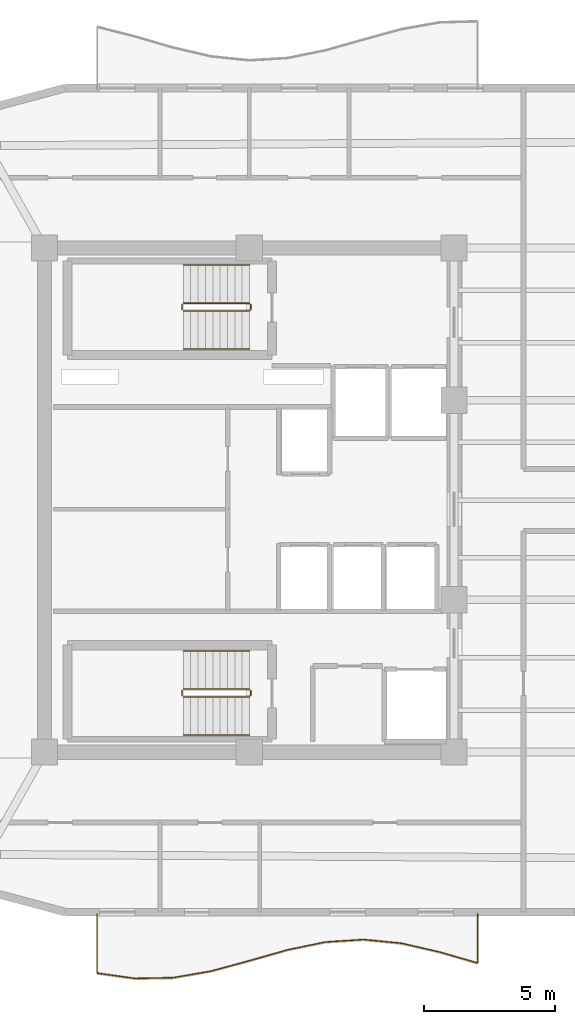
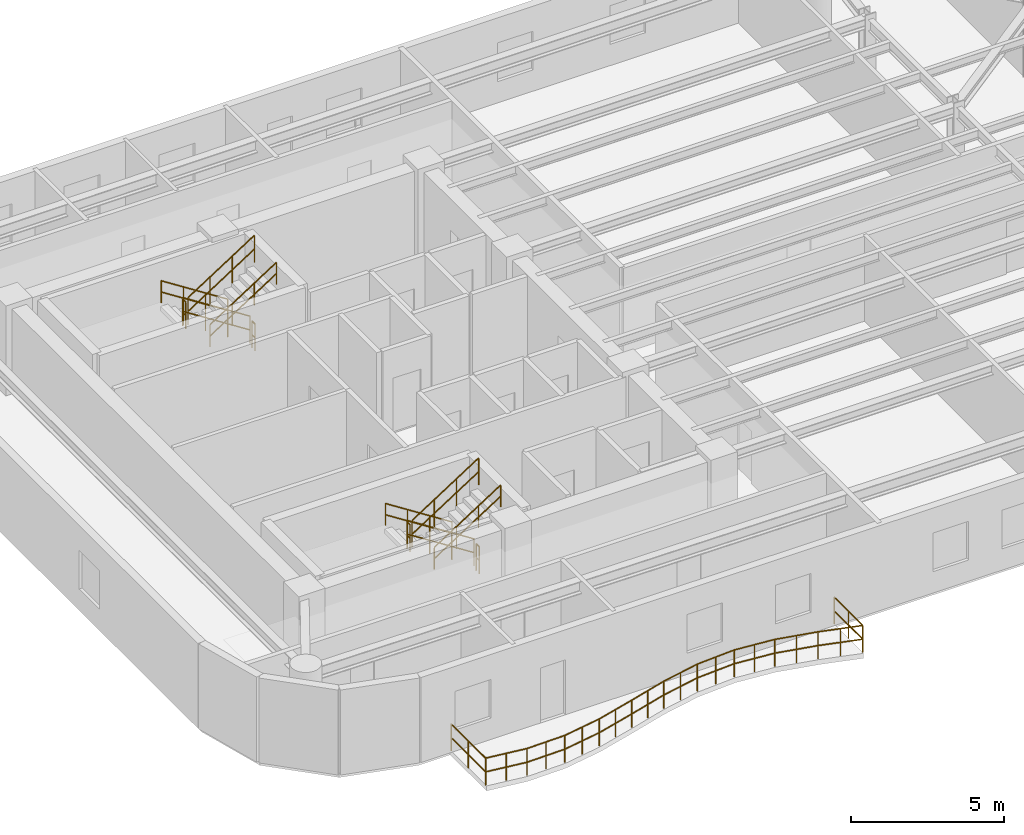
# One storey, part 12 of 13: 13 railings.
"""IFC4 building model written with IfcOpenShell, lengths in metres."""

import ifcopenshell
import ifcopenshell.guid

model = None  # the IFC model being written
_history = None  # IfcOwnerHistory: only IFC2X3 demands one
_inside = {}  # id of a spatial element -> (the spatial element, [elements in it])
_under = {}  # id of a project, library or spatial element -> (it, [spatial elements below it])
_declared = {}  # id of a project -> (the project, [libraries it declares])
_typed = {}  # id of a type object -> (the type object, [elements of that type])
_made_of = {}  # id of a material, layer set ... -> (it, [elements and type objects made of it])


def new_model(schema):
    """Start an empty IFC model of exactly this schema.

    Asked for "IFC4X3", IfcOpenShell would pick the latest addendum, in which some entities
    have other attributes; the version numbers below select the first issue.
    IFC2X3 requires an IfcOwnerHistory on every rooted entity: one is made here for all.
    """
    global model, _history
    if schema == "IFC4X3":
        model = ifcopenshell.file(schema_version=(4, 3, 0, 0))
    else:
        model = ifcopenshell.file(schema=schema)
    _inside.clear()
    _under.clear()
    _declared.clear()
    _typed.clear()
    _made_of.clear()
    _history = None
    if model.schema == "IFC2X3":
        org = make("IfcOrganization", Name="unknown")
        user = make(
            "IfcPersonAndOrganization",
            ThePerson=make("IfcPerson", FamilyName="unknown"),
            TheOrganization=org,
        )
        app = make(
            "IfcApplication",
            ApplicationDeveloper=org,
            Version="unknown",
            ApplicationFullName="unknown",
            ApplicationIdentifier="unknown",
        )
        _history = make(
            "IfcOwnerHistory",
            OwningUser=user,
            OwningApplication=app,
            ChangeAction="ADDED",
            CreationDate=0,
        )
    return model


def make(cls, **values):
    """One entity of the class cls with the attributes given. An attribute that is None is left unset."""
    return model.create_entity(
        cls, **{name: value for name, value in values.items() if value is not None}
    )


def rooted(cls, **values):
    """An entity with a GlobalId (a new one), such as an element, a storey or a relation."""
    return make(cls, GlobalId=ifcopenshell.guid.new(), OwnerHistory=_history, **values)


def si_unit(unit_type, name, prefix=None):
    """IfcSIUnit, for example si_unit("LENGTHUNIT", "METRE", prefix="MILLI")."""
    return make("IfcSIUnit", UnitType=unit_type, Prefix=prefix, Name=name)


def assignment(units):
    """IfcUnitAssignment: the units of a project."""
    return None if units is None else make("IfcUnitAssignment", Units=units)


def point(xyz):
    """IfcCartesianPoint."""
    return None if xyz is None else make("IfcCartesianPoint", Coordinates=xyz)


def direction(xyz):
    """IfcDirection."""
    return None if xyz is None else make("IfcDirection", DirectionRatios=xyz)


def frame(location, z_axis=None, x_axis=None):
    """IfcAxis2Placement3D, a coordinate frame: its origin and axes. An axis left out is left unset."""
    return make(
        "IfcAxis2Placement3D",
        Location=point(location),
        Axis=direction(z_axis),
        RefDirection=direction(x_axis),
    )


def frame_2d(location, x_axis=None):
    """IfcAxis2Placement2D, a coordinate frame in the plane: its origin and x axis."""
    return make(
        "IfcAxis2Placement2D", Location=point(location), RefDirection=direction(x_axis)
    )


def origin():
    """The frame at (0, 0, 0) with its axes left unset."""
    return frame((0.0, 0.0, 0.0))


def origin_2d():
    """The frame at (0, 0) in the plane with its x axis left unset."""
    return frame_2d((0.0, 0.0))


def place(relative_to, where):
    """IfcLocalPlacement: puts the frame where relative to a parent placement (None: the world)."""
    return make(
        "IfcLocalPlacement", PlacementRelTo=relative_to, RelativePlacement=where
    )


def context(
    kind, dimensions, precision=None, world=None, true_north=None, identifier=None
):
    """IfcGeometricRepresentationContext, for example the 3D "Model" context."""
    return make(
        "IfcGeometricRepresentationContext",
        ContextIdentifier=identifier,
        ContextType=kind,
        CoordinateSpaceDimension=dimensions,
        Precision=precision,
        WorldCoordinateSystem=world,
        TrueNorth=true_north,
    )


def subcontext(parent, identifier, kind, view, scale=None):
    """IfcGeometricRepresentationSubContext, for example "Body" below "Model"."""
    return make(
        "IfcGeometricRepresentationSubContext",
        ContextIdentifier=identifier,
        ContextType=kind,
        ParentContext=parent,
        TargetScale=scale,
        TargetView=view,
    )


def project(units=None, contexts=None):
    """IfcProject with its units and contexts."""
    return rooted(
        "IfcProject",
        Name="project",
        RepresentationContexts=contexts,
        UnitsInContext=assignment(units),
    )


def spatial(cls, under=None, at=None, **own):
    """A site, building, storey or space (cls), placed at a placement, below another one or the project."""
    s = rooted(cls, ObjectPlacement=at, **own)
    if under is not None:
        _under.setdefault(under.id(), (under, []))[1].append(s)
    return s


def profile(cls, at=None, kind="AREA", **sizes):
    """A parametric profile (cls). Its sizes go by their IFC names, for example OverallWidth=200.0."""
    return make(cls, ProfileType=kind, Position=at, **sizes)


def circle(**sizes):
    """IfcCircleProfileDef."""
    return profile("IfcCircleProfileDef", **sizes)


def extrude(swept, where, along, depth):
    """IfcExtrudedAreaSolid: the profile swept, set in the frame where, extruded along a direction by depth."""
    return make(
        "IfcExtrudedAreaSolid",
        SweptArea=swept,
        Position=where,
        ExtrudedDirection=direction(along),
        Depth=depth,
    )


def shape(context_of_items, identifier, shape_type, items):
    """IfcShapeRepresentation: the items that make up one representation, for example the "Body"."""
    return make(
        "IfcShapeRepresentation",
        ContextOfItems=context_of_items,
        RepresentationIdentifier=identifier,
        RepresentationType=shape_type,
        Items=items,
    )


def material(Name=None, Category=None):
    """IfcMaterial."""
    return make("IfcMaterial", Name=Name, Category=Category)


def made_of(thing, what):
    """Note that an element or type object is made of a material, layer set ...; save() writes the relation."""
    if what is not None:
        _made_of.setdefault(what.id(), (what, []))[1].append(thing)
    return thing


def type_object(cls, material=None, **own):
    """A type object (cls), such as IfcWallType, which elements share."""
    return made_of(rooted(cls, **own), material)


def element(
    cls,
    number,
    at=None,
    inside=None,
    cuts=None,
    type_object=None,
    material=None,
    context=None,
    identifier="Body",
    shape_type=None,
    held_by="IfcProductDefinitionShape",
    body=None,
    shapes=None,
    **own,
):
    """One element of the class cls, such as IfcWall. Its Tag is "e" and its number.

    at: its placement. inside: the storey or other place that contains it. cuts: it is an
    opening in that element (IfcRelVoidsElement). A single representation is given by context,
    identifier, shape_type and body (its items); several are given by shapes. held_by: the class
    of the entity that holds the representations. save() writes the other relations.
    """
    e = rooted(cls, Tag="e%d" % number, ObjectPlacement=at, **own)
    if body is not None:
        shapes = [shape(context, identifier, shape_type, body)]
    if shapes is not None:
        e.Representation = make(held_by, Representations=shapes)
    if inside is not None:
        _inside.setdefault(inside.id(), (inside, []))[1].append(e)
    if cuts is not None:
        rooted(
            "IfcRelVoidsElement", RelatingBuildingElement=cuts, RelatedOpeningElement=e
        )
    if type_object is not None:
        _typed.setdefault(type_object.id(), (type_object, []))[1].append(e)
    return made_of(e, material)


def aggregate(whole, parts):
    """IfcRelAggregates: a whole, such as a stair, and the parts it consists of."""
    return rooted("IfcRelAggregates", RelatingObject=whole, RelatedObjects=parts)


def save(model, path):
    """Write the relations noted so far, then the file.

    IfcRelAggregates (storeys below a building ...), IfcRelContainedInSpatialStructure (elements
    in a storey), IfcRelDefinesByType, IfcRelAssociatesMaterial and IfcRelDeclares: one each for
    every whole, place, type object, material and project.
    """
    for whole, parts in _under.values():
        aggregate(whole, parts)
    for where, things in _inside.values():
        rooted(
            "IfcRelContainedInSpatialStructure",
            RelatedElements=things,
            RelatingStructure=where,
        )
    for kind, things in _typed.values():
        rooted("IfcRelDefinesByType", RelatedObjects=things, RelatingType=kind)
    for what, things in _made_of.values():
        rooted("IfcRelAssociatesMaterial", RelatedObjects=things, RelatingMaterial=what)
    for by, libraries in _declared.values():
        rooted("IfcRelDeclares", RelatingContext=by, RelatedDefinitions=libraries)
    model.write(path)


model = new_model("IFC4")

# Units and contexts
model_context = context("Model", 3, precision=1e-05, world=origin(), true_north=direction((0.0, 1.0)))
body_context = subcontext(model_context, "Body", "Model", "MODEL_VIEW")
ifc_project = project(units=[si_unit("LENGTHUNIT", "METRE"), si_unit("AREAUNIT", "SQUARE_METRE"), si_unit("VOLUMEUNIT", "CUBIC_METRE"), si_unit("PLANEANGLEUNIT", "RADIAN"), si_unit("MASSUNIT", "GRAM", prefix="KILO")], contexts=[model_context])

# Site, building, storey
site_placement = place(None, origin())
site = spatial("IfcSite", under=ifc_project, at=site_placement, CompositionType="ELEMENT")
building_placement = place(site_placement, origin())
building = spatial("IfcBuilding", under=site, at=building_placement, Name="An Khanh Terracotta Commons", CompositionType="ELEMENT")
storey_placement = place(building_placement, frame((0.0, 0.0, 212.10009765625)))
storey = spatial("IfcBuildingStorey", under=building, at=storey_placement, Name="L55", CompositionType="ELEMENT", Elevation=212.10009765625)

# Railings
ifc_material_1 = material(Name="Brushed Stainless Steel 316", Category="steel")
railing_type_1 = type_object("IfcRailingType", Name="RAIL-BALUSTRADE-1100", PredefinedType="BALUSTRADE", material=ifc_material_1)
railing_1_placement = place(storey_placement, frame((23.60009765625, 8.239990234375, 0.0)))
element("IfcRailing", 1, at=railing_1_placement, inside=storey, type_object=railing_type_1, Name="L55 S Wave Balcony Guard Balustrade", PredefinedType="BALUSTRADE", context=body_context, shape_type="SweptSolid", body=[
    extrude(circle(Radius=0.02392578125, at=origin_2d()), frame((0.0, 0.0, 1.076171875), z_axis=(0.0, -1.0, 0.0), x_axis=(1.0, 0.0, 0.0)), (0.0, 0.0, 1.0), 2.260009765625),
    extrude(circle(Radius=0.02392578125, at=origin_2d()), frame((0.0, 0.0, 0.52587890625), z_axis=(0.0, -1.0, 0.0), x_axis=(1.0, 0.0, 0.0)), (0.0, 0.0, 1.0), 2.260009765625),
    extrude(circle(Radius=0.02392578125, at=origin_2d()), frame((0.0, -2.260009765625, 1.076171875), z_axis=(0.99035227634, -0.138572611827, 0.0), x_axis=(0.138572611827, 0.99035227634, 0.0)), (0.0, 0.0, 1.0), 1.464111328125),
    extrude(circle(Radius=0.02392578125, at=origin_2d()), frame((0.0, -2.260009765625, 0.52587890625), z_axis=(0.99035227634, -0.138572611827, 0.0), x_axis=(0.138572611827, 0.99035227634, 0.0)), (0.0, 0.0, 1.0), 1.464111328125),
    extrude(circle(Radius=0.02392578125, at=origin_2d()), frame((1.449951171875, -2.462890625, 1.076171875), z_axis=(0.999802676501, 0.019864744204, 0.0), x_axis=(-0.019864744204, 0.999802676501, 0.0)), (0.0, 0.0, 1.0), 1.4501953125),
    extrude(circle(Radius=0.02392578125, at=origin_2d()), frame((1.449951171875, -2.462890625, 0.52587890625), z_axis=(0.999802676501, 0.019864744204, 0.0), x_axis=(-0.019864744204, 0.999802676501, 0.0)), (0.0, 0.0, 1.0), 1.4501953125),
    extrude(circle(Radius=0.02392578125, at=origin_2d()), frame((2.89990234375, -2.43408203125, 1.076171875), z_axis=(0.985347824939, 0.170556922721, 0.0), x_axis=(-0.170556922721, 0.985347824939, 0.0)), (0.0, 0.0, 1.0), 1.471435546875),
    extrude(circle(Radius=0.02392578125, at=origin_2d()), frame((2.89990234375, -2.43408203125, 0.52587890625), z_axis=(0.985347824939, 0.170556922721, 0.0), x_axis=(-0.170556922721, 0.985347824939, 0.0)), (0.0, 0.0, 1.0), 1.471435546875),
    extrude(circle(Radius=0.02392578125, at=origin_2d()), frame((4.349853515625, -2.18310546875, 1.076171875), z_axis=(0.964999660908, 0.262251128592, 0.0), x_axis=(-0.262251128592, 0.964999660908, 0.0)), (0.0, 0.0, 1.0), 1.50244140625),
    extrude(circle(Radius=0.02392578125, at=origin_2d()), frame((4.349853515625, -2.18310546875, 0.52587890625), z_axis=(0.964999660908, 0.262251128592, 0.0), x_axis=(-0.262251128592, 0.964999660908, 0.0)), (0.0, 0.0, 1.0), 1.50244140625),
    extrude(circle(Radius=0.02392578125, at=origin_2d()), frame((5.7998046875, -1.7890625, 1.076171875), z_axis=(0.961743592255, 0.273951205066, 0.0), x_axis=(-0.273951205066, 0.961743592255, 0.0)), (0.0, 0.0, 1.0), 1.5078125),
    extrude(circle(Radius=0.02392578125, at=origin_2d()), frame((5.7998046875, -1.7890625, 0.52587890625), z_axis=(0.961743592255, 0.273951205066, 0.0), x_axis=(-0.273951205066, 0.961743592255, 0.0)), (0.0, 0.0, 1.0), 1.5078125),
    extrude(circle(Radius=0.02392578125, at=origin_2d()), frame((7.25, -1.3759765625, 1.076171875), z_axis=(0.979252522328, 0.202643769985, 0.0), x_axis=(-0.202643769985, 0.979252522328, 0.0)), (0.0, 0.0, 1.0), 1.480712890625),
    extrude(circle(Radius=0.02392578125, at=origin_2d()), frame((7.25, -1.3759765625, 0.52587890625), z_axis=(0.979252522328, 0.202643769985, 0.0), x_axis=(-0.202643769985, 0.979252522328, 0.0)), (0.0, 0.0, 1.0), 1.480712890625),
    extrude(circle(Radius=0.02392578125, at=origin_2d()), frame((8.699951171875, -1.075927734375, 1.076171875), z_axis=(0.997861802068, 0.065359191952, 0.0), x_axis=(-0.065359191952, 0.997861802068, 0.0)), (0.0, 0.0, 1.0), 1.453125),
    extrude(circle(Radius=0.02392578125, at=origin_2d()), frame((8.699951171875, -1.075927734375, 0.52587890625), z_axis=(0.997861802068, 0.065359191952, 0.0), x_axis=(-0.065359191952, 0.997861802068, 0.0)), (0.0, 0.0, 1.0), 1.453125),
    extrude(circle(Radius=0.02392578125, at=origin_2d()), frame((10.14990234375, -0.98095703125, 1.076171875), z_axis=(0.995232672136, -0.097529115202, 0.0), x_axis=(0.097529115202, 0.995232672136, 0.0)), (0.0, 0.0, 1.0), 1.456787109375),
    extrude(circle(Radius=0.02392578125, at=origin_2d()), frame((10.14990234375, -0.98095703125, 0.52587890625), z_axis=(0.995232672136, -0.097529115202, 0.0), x_axis=(0.097529115202, 0.995232672136, 0.0)), (0.0, 0.0, 1.0), 1.456787109375),
    extrude(circle(Radius=0.02392578125, at=origin_2d()), frame((11.599853515625, -1.123046875, 1.076171875), z_axis=(0.974482374478, -0.224464032377, 0.0), x_axis=(0.224464032377, 0.974482374478, 0.0)), (0.0, 0.0, 1.0), 1.488037109375),
    extrude(circle(Radius=0.02392578125, at=origin_2d()), frame((11.599853515625, -1.123046875, 0.52587890625), z_axis=(0.974482374478, -0.224464032377, 0.0), x_axis=(0.224464032377, 0.974482374478, 0.0)), (0.0, 0.0, 1.0), 1.488037109375),
    extrude(circle(Radius=0.02392578125, at=origin_2d()), frame((13.0498046875, -1.45703125, 1.076171875), z_axis=(0.960714182841, -0.277539652821, 0.0), x_axis=(0.277539652821, 0.960714182841, 0.0)), (0.0, 0.0, 1.0), 1.509521484375),
    extrude(circle(Radius=0.02392578125, at=origin_2d()), frame((13.0498046875, -1.45703125, 0.52587890625), z_axis=(0.960714182841, -0.277539652821, 0.0), x_axis=(0.277539652821, 0.960714182841, 0.0)), (0.0, 0.0, 1.0), 1.509521484375),
    extrude(circle(Radius=0.02392578125, at=origin_2d()), frame((14.5, -1.8759765625, 1.076171875), z_axis=(0.0, 1.0, 0.0), x_axis=(-1.0, 0.0, 0.0)), (0.0, 0.0, 1.0), 1.8759765625),
    extrude(circle(Radius=0.02392578125, at=origin_2d()), frame((14.5, -1.8759765625, 0.52587890625), z_axis=(0.0, 1.0, 0.0), x_axis=(-1.0, 0.0, 0.0)), (0.0, 0.0, 1.0), 1.8759765625),
    extrude(circle(Radius=0.02099609375, at=origin_2d()), origin(), (0.0, 0.0, 1.0), 1.052001953125),
    extrude(circle(Radius=0.02099609375, at=origin_2d()), frame((0.0, -1.1298828125, 0.0)), (0.0, 0.0, 1.0), 1.052001953125),
    extrude(circle(Radius=0.02099609375, at=origin_2d()), frame((0.0, -2.260009765625, 0.0)), (0.0, 0.0, 1.0), 1.052001953125),
    extrude(circle(Radius=0.02099609375, at=origin_2d()), frame((0.72509765625, -2.361328125, 0.0)), (0.0, 0.0, 1.0), 1.052001953125),
    extrude(circle(Radius=0.02099609375, at=origin_2d()), frame((1.449951171875, -2.462890625, 0.0)), (0.0, 0.0, 1.0), 1.052001953125),
    extrude(circle(Radius=0.02099609375, at=origin_2d()), frame((2.1748046875, -2.448486328125, 0.0)), (0.0, 0.0, 1.0), 1.052001953125),
    extrude(circle(Radius=0.02099609375, at=origin_2d()), frame((2.89990234375, -2.43408203125, 0.0)), (0.0, 0.0, 1.0), 1.052001953125),
    extrude(circle(Radius=0.02099609375, at=origin_2d()), frame((3.625, -2.30859375, 0.0)), (0.0, 0.0, 1.0), 1.052001953125),
    extrude(circle(Radius=0.02099609375, at=origin_2d()), frame((4.349853515625, -2.18310546875, 0.0)), (0.0, 0.0, 1.0), 1.052001953125),
    extrude(circle(Radius=0.02099609375, at=origin_2d()), frame((5.07470703125, -1.986083984375, 0.0)), (0.0, 0.0, 1.0), 1.052001953125),
    extrude(circle(Radius=0.02099609375, at=origin_2d()), frame((5.7998046875, -1.7890625, 0.0)), (0.0, 0.0, 1.0), 1.052001953125),
    extrude(circle(Radius=0.02099609375, at=origin_2d()), frame((6.52490234375, -1.58251953125, 0.0)), (0.0, 0.0, 1.0), 1.052001953125),
    extrude(circle(Radius=0.02099609375, at=origin_2d()), frame((7.25, -1.3759765625, 0.0)), (0.0, 0.0, 1.0), 1.052001953125),
    extrude(circle(Radius=0.02099609375, at=origin_2d()), frame((7.97509765625, -1.22607421875, 0.0)), (0.0, 0.0, 1.0), 1.052001953125),
    extrude(circle(Radius=0.02099609375, at=origin_2d()), frame((8.699951171875, -1.075927734375, 0.0)), (0.0, 0.0, 1.0), 1.052001953125),
    extrude(circle(Radius=0.02099609375, at=origin_2d()), frame((9.4248046875, -1.0283203125, 0.0)), (0.0, 0.0, 1.0), 1.052001953125),
    extrude(circle(Radius=0.02099609375, at=origin_2d()), frame((10.14990234375, -0.98095703125, 0.0)), (0.0, 0.0, 1.0), 1.052001953125),
    extrude(circle(Radius=0.02099609375, at=origin_2d()), frame((10.875, -1.052001953125, 0.0)), (0.0, 0.0, 1.0), 1.052001953125),
    extrude(circle(Radius=0.02099609375, at=origin_2d()), frame((11.599853515625, -1.123046875, 0.0)), (0.0, 0.0, 1.0), 1.052001953125),
    extrude(circle(Radius=0.02099609375, at=origin_2d()), frame((12.32470703125, -1.2900390625, 0.0)), (0.0, 0.0, 1.0), 1.052001953125),
    extrude(circle(Radius=0.02099609375, at=origin_2d()), frame((13.0498046875, -1.45703125, 0.0)), (0.0, 0.0, 1.0), 1.052001953125),
    extrude(circle(Radius=0.02099609375, at=origin_2d()), frame((13.77490234375, -1.66650390625, 0.0)), (0.0, 0.0, 1.0), 1.052001953125),
    extrude(circle(Radius=0.02099609375, at=origin_2d()), frame((14.5, -1.8759765625, 0.0)), (0.0, 0.0, 1.0), 1.052001953125),
    extrude(circle(Radius=0.02099609375, at=origin_2d()), frame((14.5, -0.93798828125, 0.0)), (0.0, 0.0, 1.0), 1.052001953125),
    extrude(circle(Radius=0.02099609375, at=origin_2d()), frame((14.5, 0.0, 0.0)), (0.0, 0.0, 1.0), 1.052001953125),
])
railing_type_2 = type_object("IfcRailingType", Name="RAIL-HANDRAIL-900", PredefinedType="HANDRAIL", material=ifc_material_1)
railing_2_placement = place(storey_placement, frame((29.409912109375, 32.949951171875, 0.179931640625)))
element("IfcRailing", 2, at=railing_2_placement, inside=storey, type_object=railing_type_2, Name="L55 ST-01 stair handrail 1", PredefinedType="HANDRAIL", context=body_context, shape_type="SweptSolid", body=[
    extrude(circle(Radius=0.02392578125, at=origin_2d()), frame((0.0, 0.0, 0.8759765625), z_axis=(-0.841199657755, 0.0, 0.540724639528), x_axis=(0.0, -1.0, 0.0)), (0.0, 0.0, 1.0), 2.995849609375),
    extrude(circle(Radius=0.02392578125, at=origin_2d()), frame((0.0, 0.0, 0.42578125), z_axis=(-0.841199657755, 0.0, 0.540724639528), x_axis=(0.0, -1.0, 0.0)), (0.0, 0.0, 1.0), 2.995849609375),
    extrude(circle(Radius=0.02099609375, at=origin_2d()), origin(), (0.0, 0.0, 1.0), 0.851806640625),
    extrude(circle(Radius=0.02099609375, at=origin_2d()), frame((-0.840087890625, 0.0, 0.5400390625)), (0.0, 0.0, 1.0), 0.851806640625),
    extrude(circle(Radius=0.02099609375, at=origin_2d()), frame((-1.679931640625, 0.0, 1.079833984375)), (0.0, 0.0, 1.0), 0.851806640625),
    extrude(circle(Radius=0.02099609375, at=origin_2d()), frame((-2.52001953125, 0.0, 1.619873046875)), (0.0, 0.0, 1.0), 0.851806640625),
])
railing_3_placement = place(storey_placement, frame((26.889892578125, 29.75, 1.97998046875)))
element("IfcRailing", 3, at=railing_3_placement, inside=storey, type_object=railing_type_2, Name="L55 ST-01 stair handrail 2", PredefinedType="HANDRAIL", context=body_context, shape_type="SweptSolid", body=[
    extrude(circle(Radius=0.02392578125, at=origin_2d()), frame((0.0, 0.0, 0.8759765625), z_axis=(0.841199657755, 0.0, 0.540724639528), x_axis=(0.0, 1.0, 0.0)), (0.0, 0.0, 1.0), 2.995849609375),
    extrude(circle(Radius=0.02392578125, at=origin_2d()), frame((0.0, 0.0, 0.42578125), z_axis=(0.841199657755, 0.0, 0.540724639528), x_axis=(0.0, 1.0, 0.0)), (0.0, 0.0, 1.0), 2.995849609375),
    extrude(circle(Radius=0.02099609375, at=origin_2d()), origin(), (0.0, 0.0, 1.0), 0.851806640625),
    extrude(circle(Radius=0.02099609375, at=origin_2d()), frame((0.840087890625, 0.0, 0.5400390625)), (0.0, 0.0, 1.0), 0.851806640625),
    extrude(circle(Radius=0.02099609375, at=origin_2d()), frame((1.679931640625, 0.0, 1.079833984375)), (0.0, 0.0, 1.0), 0.851806640625),
    extrude(circle(Radius=0.02099609375, at=origin_2d()), frame((2.52001953125, 0.0, 1.619873046875)), (0.0, 0.0, 1.0), 0.851806640625),
])
railing_4_placement = place(storey_placement, frame((29.409912109375, 18.25, 0.179931640625)))
element("IfcRailing", 4, at=railing_4_placement, inside=storey, type_object=railing_type_2, Name="L55 ST-02 stair handrail 1", PredefinedType="HANDRAIL", context=body_context, shape_type="SweptSolid", body=[
    extrude(circle(Radius=0.02392578125, at=origin_2d()), frame((0.0, 0.0, 0.8759765625), z_axis=(-0.841199657755, 0.0, 0.540724639528), x_axis=(0.0, -1.0, 0.0)), (0.0, 0.0, 1.0), 2.995849609375),
    extrude(circle(Radius=0.02392578125, at=origin_2d()), frame((0.0, 0.0, 0.42578125), z_axis=(-0.841199657755, 0.0, 0.540724639528), x_axis=(0.0, -1.0, 0.0)), (0.0, 0.0, 1.0), 2.995849609375),
    extrude(circle(Radius=0.02099609375, at=origin_2d()), origin(), (0.0, 0.0, 1.0), 0.851806640625),
    extrude(circle(Radius=0.02099609375, at=origin_2d()), frame((-0.840087890625, 0.0, 0.5400390625)), (0.0, 0.0, 1.0), 0.851806640625),
    extrude(circle(Radius=0.02099609375, at=origin_2d()), frame((-1.679931640625, 0.0, 1.079833984375)), (0.0, 0.0, 1.0), 0.851806640625),
    extrude(circle(Radius=0.02099609375, at=origin_2d()), frame((-2.52001953125, 0.0, 1.619873046875)), (0.0, 0.0, 1.0), 0.851806640625),
])
railing_5_placement = place(storey_placement, frame((26.889892578125, 15.050048828125, 1.97998046875)))
element("IfcRailing", 5, at=railing_5_placement, inside=storey, type_object=railing_type_2, Name="L55 ST-02 stair handrail 2", PredefinedType="HANDRAIL", context=body_context, shape_type="SweptSolid", body=[
    extrude(circle(Radius=0.02392578125, at=origin_2d()), frame((0.0, 0.0, 0.8759765625), z_axis=(0.841199657755, 0.0, 0.540724639528), x_axis=(0.0, 1.0, 0.0)), (0.0, 0.0, 1.0), 2.995849609375),
    extrude(circle(Radius=0.02392578125, at=origin_2d()), frame((0.0, 0.0, 0.42578125), z_axis=(0.841199657755, 0.0, 0.540724639528), x_axis=(0.0, 1.0, 0.0)), (0.0, 0.0, 1.0), 2.995849609375),
    extrude(circle(Radius=0.02099609375, at=origin_2d()), origin(), (0.0, 0.0, 1.0), 0.851806640625),
    extrude(circle(Radius=0.02099609375, at=origin_2d()), frame((0.840087890625, 0.0, 0.5400390625)), (0.0, 0.0, 1.0), 0.851806640625),
    extrude(circle(Radius=0.02099609375, at=origin_2d()), frame((1.679931640625, 0.0, 1.079833984375)), (0.0, 0.0, 1.0), 0.851806640625),
    extrude(circle(Radius=0.02099609375, at=origin_2d()), frame((2.52001953125, 0.0, 1.619873046875)), (0.0, 0.0, 1.0), 0.851806640625),
])
ifc_material_2 = material(Name="Powder-Coated Steel S355J2", Category="steel")
railing_type_3 = type_object("IfcRailingType", Name="RAIL-STAIR-GUARD-1100", PredefinedType="BALUSTRADE", material=ifc_material_2)
railing_6_placement = place(storey_placement, frame((29.409912109375, 31.5, 0.179931640625)))
element("IfcRailing", 6, at=railing_6_placement, inside=storey, type_object=railing_type_3, Name="L55 ST-01 stair guard 1", PredefinedType="BALUSTRADE", context=body_context, shape_type="SweptSolid", body=[
    extrude(circle(Radius=0.02392578125, at=origin_2d()), frame((0.0, 0.0, 1.076171875), z_axis=(-0.841199657755, 0.0, 0.540724639528), x_axis=(0.0, -1.0, 0.0)), (0.0, 0.0, 1.0), 2.995849609375),
    extrude(circle(Radius=0.02392578125, at=origin_2d()), frame((0.0, 0.0, 0.52587890625), z_axis=(-0.841199657755, 0.0, 0.540724639528), x_axis=(0.0, -1.0, 0.0)), (0.0, 0.0, 1.0), 2.995849609375),
    extrude(circle(Radius=0.02099609375, at=origin_2d()), origin(), (0.0, 0.0, 1.0), 1.052001953125),
    extrude(circle(Radius=0.02099609375, at=origin_2d()), frame((-0.840087890625, 0.0, 0.5400390625)), (0.0, 0.0, 1.0), 1.052001953125),
    extrude(circle(Radius=0.02099609375, at=origin_2d()), frame((-1.679931640625, 0.0, 1.079833984375)), (0.0, 0.0, 1.0), 1.052001953125),
    extrude(circle(Radius=0.02099609375, at=origin_2d()), frame((-2.52001953125, 0.0, 1.619873046875)), (0.0, 0.0, 1.0), 1.052001953125),
])
railing_7_placement = place(storey_placement, frame((26.840087890625, 31.449951171875, 1.7998046875)))
element("IfcRailing", 7, at=railing_7_placement, inside=storey, type_object=railing_type_3, Name="L55 ST-01 stair guard 2", PredefinedType="BALUSTRADE", context=body_context, shape_type="SweptSolid", body=[
    extrude(circle(Radius=0.02392578125, at=origin_2d()), frame((0.0, 0.0, 1.076171875), z_axis=(0.0, -1.0, 0.0), x_axis=(1.0, 0.0, 0.0)), (0.0, 0.0, 1.0), 0.199951171875),
    extrude(circle(Radius=0.02392578125, at=origin_2d()), frame((0.0, 0.0, 0.52587890625), z_axis=(0.0, -1.0, 0.0), x_axis=(1.0, 0.0, 0.0)), (0.0, 0.0, 1.0), 0.199951171875),
    extrude(circle(Radius=0.02099609375, at=origin_2d()), origin(), (0.0, 0.0, 1.0), 1.052001953125),
    extrude(circle(Radius=0.02099609375, at=origin_2d()), frame((0.0, -0.199951171875, 0.0)), (0.0, 0.0, 1.0), 1.052001953125),
])
railing_8_placement = place(storey_placement, frame((26.889892578125, 31.199951171875, 1.97998046875)))
element("IfcRailing", 8, at=railing_8_placement, inside=storey, type_object=railing_type_3, Name="L55 ST-01 stair guard 3", PredefinedType="BALUSTRADE", context=body_context, shape_type="SweptSolid", body=[
    extrude(circle(Radius=0.02392578125, at=origin_2d()), frame((0.0, 0.0, 1.076171875), z_axis=(0.841199657755, 0.0, 0.540724639528), x_axis=(0.0, 1.0, 0.0)), (0.0, 0.0, 1.0), 2.995849609375),
    extrude(circle(Radius=0.02392578125, at=origin_2d()), frame((0.0, 0.0, 0.52587890625), z_axis=(0.841199657755, 0.0, 0.540724639528), x_axis=(0.0, 1.0, 0.0)), (0.0, 0.0, 1.0), 2.995849609375),
    extrude(circle(Radius=0.02099609375, at=origin_2d()), origin(), (0.0, 0.0, 1.0), 1.052001953125),
    extrude(circle(Radius=0.02099609375, at=origin_2d()), frame((0.840087890625, 0.0, 0.5400390625)), (0.0, 0.0, 1.0), 1.052001953125),
    extrude(circle(Radius=0.02099609375, at=origin_2d()), frame((1.679931640625, 0.0, 1.079833984375)), (0.0, 0.0, 1.0), 1.052001953125),
    extrude(circle(Radius=0.02099609375, at=origin_2d()), frame((2.52001953125, 0.0, 1.619873046875)), (0.0, 0.0, 1.0), 1.052001953125),
])
railing_9_placement = place(storey_placement, frame((29.4599609375, 31.449951171875, 0.0)))
element("IfcRailing", 9, at=railing_9_placement, inside=storey, type_object=railing_type_3, Name="L55 ST-01 stair guard 4", PredefinedType="BALUSTRADE", context=body_context, shape_type="SweptSolid", body=[
    extrude(circle(Radius=0.02392578125, at=origin_2d()), frame((0.0, 0.0, 1.076171875), z_axis=(0.0, -1.0, 0.0), x_axis=(1.0, 0.0, 0.0)), (0.0, 0.0, 1.0), 0.199951171875),
    extrude(circle(Radius=0.02392578125, at=origin_2d()), frame((0.0, 0.0, 0.52587890625), z_axis=(0.0, -1.0, 0.0), x_axis=(1.0, 0.0, 0.0)), (0.0, 0.0, 1.0), 0.199951171875),
    extrude(circle(Radius=0.02099609375, at=origin_2d()), origin(), (0.0, 0.0, 1.0), 1.052001953125),
    extrude(circle(Radius=0.02099609375, at=origin_2d()), frame((0.0, -0.199951171875, 0.0)), (0.0, 0.0, 1.0), 1.052001953125),
])
railing_10_placement = place(storey_placement, frame((29.409912109375, 16.800048828125, 0.179931640625)))
element("IfcRailing", 10, at=railing_10_placement, inside=storey, type_object=railing_type_3, Name="L55 ST-02 stair guard 1", PredefinedType="BALUSTRADE", context=body_context, shape_type="SweptSolid", body=[
    extrude(circle(Radius=0.02392578125, at=origin_2d()), frame((0.0, 0.0, 1.076171875), z_axis=(-0.841199657755, 0.0, 0.540724639528), x_axis=(0.0, -1.0, 0.0)), (0.0, 0.0, 1.0), 2.995849609375),
    extrude(circle(Radius=0.02392578125, at=origin_2d()), frame((0.0, 0.0, 0.52587890625), z_axis=(-0.841199657755, 0.0, 0.540724639528), x_axis=(0.0, -1.0, 0.0)), (0.0, 0.0, 1.0), 2.995849609375),
    extrude(circle(Radius=0.02099609375, at=origin_2d()), origin(), (0.0, 0.0, 1.0), 1.052001953125),
    extrude(circle(Radius=0.02099609375, at=origin_2d()), frame((-0.840087890625, 0.0, 0.5400390625)), (0.0, 0.0, 1.0), 1.052001953125),
    extrude(circle(Radius=0.02099609375, at=origin_2d()), frame((-1.679931640625, 0.0, 1.079833984375)), (0.0, 0.0, 1.0), 1.052001953125),
    extrude(circle(Radius=0.02099609375, at=origin_2d()), frame((-2.52001953125, 0.0, 1.619873046875)), (0.0, 0.0, 1.0), 1.052001953125),
])
railing_11_placement = place(storey_placement, frame((26.840087890625, 16.75, 1.7998046875)))
element("IfcRailing", 11, at=railing_11_placement, inside=storey, type_object=railing_type_3, Name="L55 ST-02 stair guard 2", PredefinedType="BALUSTRADE", context=body_context, shape_type="SweptSolid", body=[
    extrude(circle(Radius=0.02392578125, at=origin_2d()), frame((0.0, 0.0, 1.076171875), z_axis=(0.0, -1.0, 0.0), x_axis=(1.0, 0.0, 0.0)), (0.0, 0.0, 1.0), 0.199951171875),
    extrude(circle(Radius=0.02392578125, at=origin_2d()), frame((0.0, 0.0, 0.52587890625), z_axis=(0.0, -1.0, 0.0), x_axis=(1.0, 0.0, 0.0)), (0.0, 0.0, 1.0), 0.199951171875),
    extrude(circle(Radius=0.02099609375, at=origin_2d()), origin(), (0.0, 0.0, 1.0), 1.052001953125),
    extrude(circle(Radius=0.02099609375, at=origin_2d()), frame((0.0, -0.199951171875, 0.0)), (0.0, 0.0, 1.0), 1.052001953125),
])
railing_12_placement = place(storey_placement, frame((26.889892578125, 16.5, 1.97998046875)))
element("IfcRailing", 12, at=railing_12_placement, inside=storey, type_object=railing_type_3, Name="L55 ST-02 stair guard 3", PredefinedType="BALUSTRADE", context=body_context, shape_type="SweptSolid", body=[
    extrude(circle(Radius=0.02392578125, at=origin_2d()), frame((0.0, 0.0, 1.076171875), z_axis=(0.841199657755, 0.0, 0.540724639528), x_axis=(0.0, 1.0, 0.0)), (0.0, 0.0, 1.0), 2.995849609375),
    extrude(circle(Radius=0.02392578125, at=origin_2d()), frame((0.0, 0.0, 0.52587890625), z_axis=(0.841199657755, 0.0, 0.540724639528), x_axis=(0.0, 1.0, 0.0)), (0.0, 0.0, 1.0), 2.995849609375),
    extrude(circle(Radius=0.02099609375, at=origin_2d()), origin(), (0.0, 0.0, 1.0), 1.052001953125),
    extrude(circle(Radius=0.02099609375, at=origin_2d()), frame((0.840087890625, 0.0, 0.5400390625)), (0.0, 0.0, 1.0), 1.052001953125),
    extrude(circle(Radius=0.02099609375, at=origin_2d()), frame((1.679931640625, 0.0, 1.079833984375)), (0.0, 0.0, 1.0), 1.052001953125),
    extrude(circle(Radius=0.02099609375, at=origin_2d()), frame((2.52001953125, 0.0, 1.619873046875)), (0.0, 0.0, 1.0), 1.052001953125),
])
railing_13_placement = place(storey_placement, frame((29.4599609375, 16.75, 0.0)))
element("IfcRailing", 13, at=railing_13_placement, inside=storey, type_object=railing_type_3, Name="L55 ST-02 stair guard 4", PredefinedType="BALUSTRADE", context=body_context, shape_type="SweptSolid", body=[
    extrude(circle(Radius=0.02392578125, at=origin_2d()), frame((0.0, 0.0, 1.076171875), z_axis=(0.0, -1.0, 0.0), x_axis=(1.0, 0.0, 0.0)), (0.0, 0.0, 1.0), 0.199951171875),
    extrude(circle(Radius=0.02392578125, at=origin_2d()), frame((0.0, 0.0, 0.52587890625), z_axis=(0.0, -1.0, 0.0), x_axis=(1.0, 0.0, 0.0)), (0.0, 0.0, 1.0), 0.199951171875),
    extrude(circle(Radius=0.02099609375, at=origin_2d()), origin(), (0.0, 0.0, 1.0), 1.052001953125),
    extrude(circle(Radius=0.02099609375, at=origin_2d()), frame((0.0, -0.199951171875, 0.0)), (0.0, 0.0, 1.0), 1.052001953125),
])

save(model, "model.ifc")
